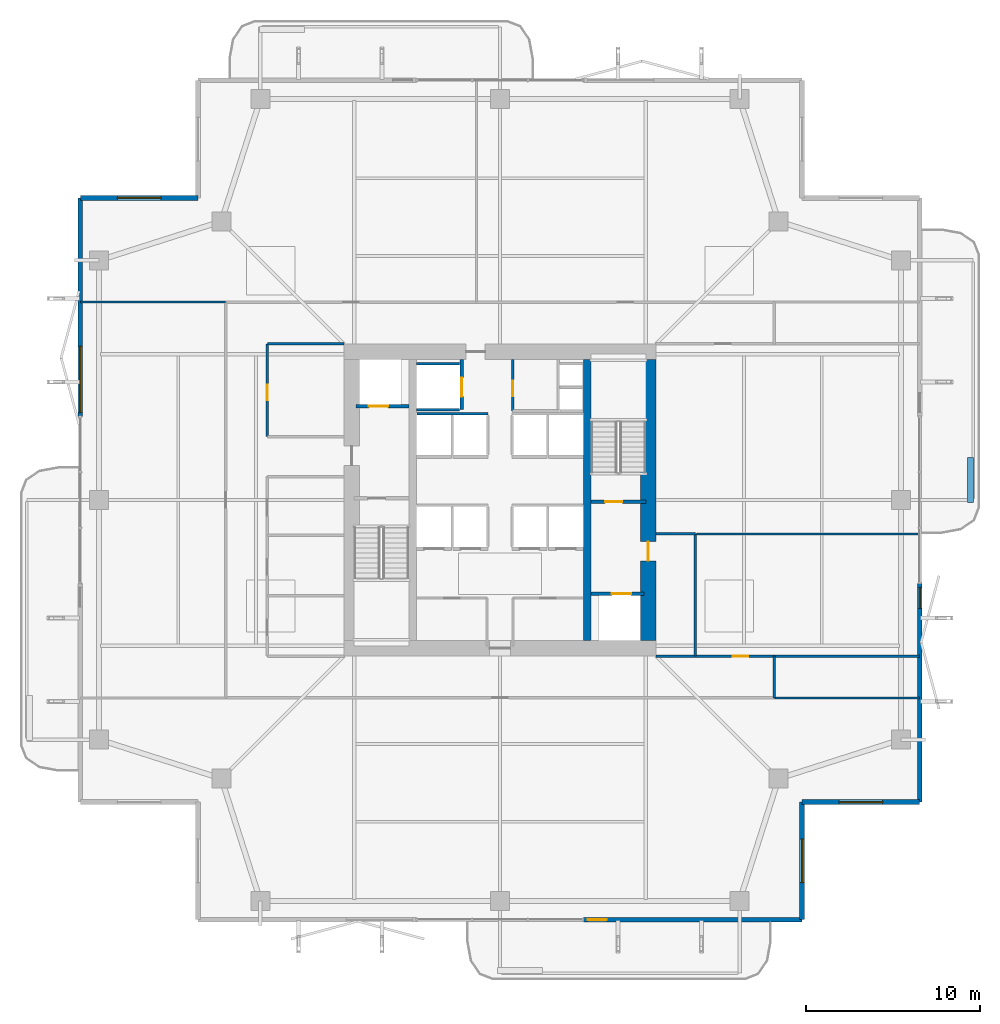
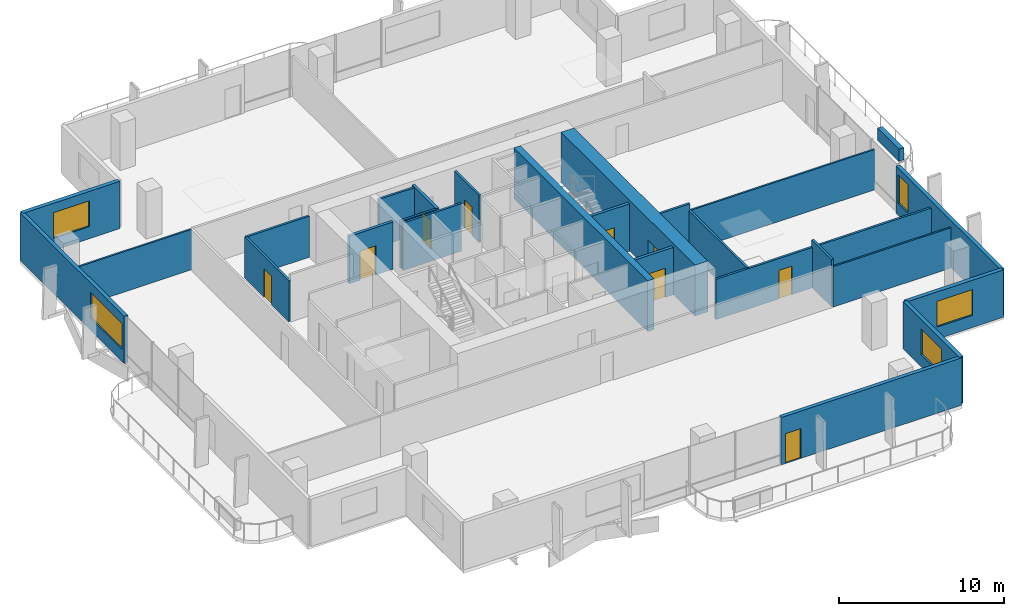
# One storey, part 19 of 23: 26 walls, 9 doors, 5 windows, 14 openings.
"""IFC4 building model written with IfcOpenShell, lengths in metres."""

from ifc_helpers import new_model, si_unit, direction, frame, frame_2d, origin, place, context, subcontext, project, spatial, rectangle, extrude, material, layer, layer_set, type_object, element, fill, save


model = new_model("IFC4")

# Units and contexts
model_context = context("Model", 3, precision=1e-05, world=origin(), true_north=direction((0.0, 1.0)))
body_context = subcontext(model_context, "Body", "Model", "MODEL_VIEW")
ifc_project = project(units=[si_unit("LENGTHUNIT", "METRE"), si_unit("AREAUNIT", "SQUARE_METRE"), si_unit("VOLUMEUNIT", "CUBIC_METRE"), si_unit("PLANEANGLEUNIT", "RADIAN"), si_unit("MASSUNIT", "GRAM", prefix="KILO")], contexts=[model_context])

# Site, building, storey
site_placement = place(None, origin())
site = spatial("IfcSite", under=ifc_project, at=site_placement, CompositionType="ELEMENT")
building_placement = place(site_placement, origin())
building = spatial("IfcBuilding", under=site, at=building_placement, Name="Belovzor Exchange Tower", CompositionType="ELEMENT")
storey_placement = place(building_placement, frame((0.0, 0.0, 157.050048828125)))
storey = spatial("IfcBuildingStorey", under=building, at=storey_placement, Name="L38", CompositionType="ELEMENT", Elevation=157.050048828125)

# Walls
ifc_material_1 = material(Name="Acoustic Plasterboard on Galvanised Studs", Category="gypsum")
ifc_layer_1 = layer(ifc_material_1, 0.1201171875)
ifc_layer_set_1 = layer_set([ifc_layer_1], Name="Acoustic Plasterboard on Galvanised Studs")
wall_type_1 = type_object("IfcWallType", Name="Acoustic Double-Stud Partition Wall 120", PredefinedType="PARTITIONING", material=ifc_layer_set_1)
wall_1_placement = place(storey_placement, frame((40.125, 26.85009765625, 0.0), z_axis=(0.0, 0.0, 1.0), x_axis=(1.0, 0.0, 0.0)))
element("IfcWall", 1, at=wall_1_placement, inside=storey, type_object=wall_type_1, Name="W-P120 Partition Wall W-L38-EDIV-1", PredefinedType="PARTITIONING", context=body_context, shape_type="SweptSolid", body=[
    extrude(rectangle(XDim=12.844970703125, YDim=0.1201171875, at=frame_2d((6.42236328125, 0.0))), origin(), (0.0, 0.0, 1.0), 2.97998046875),
])
wall_2_placement = place(storey_placement, frame((44.60009765625, 17.39990234375, 0.0), z_axis=(0.0, 0.0, 1.0), x_axis=(1.0, 0.0, 0.0)))
element("IfcWall", 2, at=wall_2_placement, inside=storey, type_object=wall_type_1, Name="W-P120 Partition Wall W-L38-END-SE", PredefinedType="PARTITIONING", context=body_context, shape_type="SweptSolid", body=[
    extrude(rectangle(XDim=8.369873046875, YDim=0.1201171875, at=frame_2d((4.18505859375, 0.0))), origin(), (0.0, 0.0, 1.0), 2.97998046875),
])
wall_3_placement = place(storey_placement, frame((4.6298828125, 40.199951171875, 0.0), z_axis=(0.0, 0.0, 1.0), x_axis=(1.0, 0.0, 0.0)))
element("IfcWall", 3, at=wall_3_placement, inside=storey, type_object=wall_type_1, Name="W-P120 Partition Wall W-L38-END-NW", PredefinedType="PARTITIONING", context=body_context, shape_type="SweptSolid", body=[
    extrude(rectangle(XDim=8.3701171875, YDim=0.1201171875, at=frame_2d((4.18505859375, 0.0))), origin(), (0.0, 0.0, 1.0), 2.97998046875),
])

# Wall, opening, door
ifc_material_2 = material(Name="Fire-Rated Gypsum Block and Mineral Wool", Category="gypsum")
ifc_layer_2 = layer(ifc_material_2, 0.14990234375)
ifc_layer_set_2 = layer_set([ifc_layer_2], Name="Fire-Rated Gypsum Block and Mineral Wool")
wall_type_2 = type_object("IfcWallType", Name="Fire-Rated Gypsum Block Corridor Wall 150", PredefinedType="PARTITIONING", material=ifc_layer_set_2)
wall_4_placement = place(storey_placement, frame((29.52490234375, 33.925048828125, 0.0), z_axis=(0.0, 0.0, 1.0), x_axis=(0.0, 1.0, 0.0)))
wall_4 = element("IfcWall", 4, at=wall_4_placement, inside=storey, type_object=wall_type_2, Name="W-P150 Partition Wall W-CRV-L38-W", PredefinedType="PARTITIONING", context=body_context, shape_type="SweptSolid", body=[
    extrude(rectangle(XDim=2.974853515625, YDim=0.14990234375, at=frame_2d((1.4873046875, 0.0))), origin(), (0.0, 0.0, 1.0), 3.494873046875),
])
opening_1_placement = place(wall_4_placement, frame((0.85009765625, 0.0, 0.0)))
opening_1 = element("IfcOpeningElement", 5, at=opening_1_placement, cuts=wall_4, Name="Opening D-FD60-090", PredefinedType="OPENING", context=body_context, shape_type="SweptSolid", body=[
    extrude(rectangle(XDim=0.89990234375, YDim=2.10009765625, at=frame_2d((0.449951171875, 1.050048828125))), frame((0.0, 0.0849609375, 0.0), z_axis=(0.0, -1.0, 0.0), x_axis=(1.0, 0.0, 0.0)), (0.0, 0.0, 1.0), 0.169921875),
])
ifc_material_3 = material(Name="Acoustic Timber Fire Leaf", Category="wood")
door_type_1 = type_object("IfcDoorType", Name="Core Service & Restroom Fire Door 900x2100", OperationType="NOTDEFINED", PredefinedType="DOOR", material=ifc_material_3)
door_1_placement = place(opening_1_placement, origin())
door_1 = element("IfcDoor", 6, at=door_1_placement, inside=storey, type_object=door_type_1, Name="D-FD60-090 Core Service & Restroom Fire Door 900x2100", OperationType="SINGLE_SWING_LEFT", OverallHeight=2.10009765625, OverallWidth=0.89990234375, PredefinedType="DOOR", context=body_context, shape_type="SweptSolid", body=[
    extrude(rectangle(XDim=0.89990234375, YDim=2.10009765625, at=frame_2d((0.449951171875, 1.050048828125))), frame((0.0, 0.02490234375, 0.0), z_axis=(0.0, -1.0, 0.0), x_axis=(1.0, 0.0, 0.0)), (0.0, 0.0, 1.0), 0.050048828125),
])
fill(opening_1, door_1)

# Wall
wall_5_placement = place(storey_placement, frame((15.39990234375, 37.800048828125, 0.0), z_axis=(0.0, 0.0, 1.0), x_axis=(1.0, 0.0, 0.0)))
element("IfcWall", 7, at=wall_5_placement, inside=storey, type_object=wall_type_2, Name="W-P150 Partition Wall W-L38-INW-N", PredefinedType="PARTITIONING", context=body_context, shape_type="SweptSolid", body=[
    extrude(rectangle(XDim=4.400146484375, YDim=0.14990234375, at=frame_2d((2.2001953125, 0.0))), origin(), (0.0, 0.0, 1.0), 3.030029296875),
])

# Wall, opening, door
wall_6_placement = place(storey_placement, frame((15.39990234375, 32.449951171875, 0.0), z_axis=(0.0, 0.0, 1.0), x_axis=(0.0, 1.0, 0.0)))
wall_6 = element("IfcWall", 8, at=wall_6_placement, inside=storey, type_object=wall_type_2, Name="W-P150 Partition Wall W-L38-WIE-N", PredefinedType="PARTITIONING", context=body_context, shape_type="SweptSolid", body=[
    extrude(rectangle(XDim=5.35009765625, YDim=0.14990234375, at=frame_2d((2.675048828125, 0.0))), origin(), (0.0, 0.0, 1.0), 3.030029296875),
])
opening_2_placement = place(wall_6_placement, frame((2.10009765625, 0.0, 0.0)))
opening_2 = element("IfcOpeningElement", 9, at=opening_2_placement, cuts=wall_6, Name="Opening D-FD60-090", PredefinedType="OPENING", context=body_context, shape_type="SweptSolid", body=[
    extrude(rectangle(XDim=0.89990234375, YDim=2.10009765625, at=frame_2d((0.449951171875, 1.050048828125))), frame((0.0, 0.0849609375, 0.0), z_axis=(0.0, -1.0, 0.0), x_axis=(1.0, 0.0, 0.0)), (0.0, 0.0, 1.0), 0.169921875),
])
door_2_placement = place(opening_2_placement, origin())
door_2 = element("IfcDoor", 10, at=door_2_placement, inside=storey, type_object=door_type_1, Name="D-FD60-090 Core Service & Restroom Fire Door 900x2100", OperationType="SINGLE_SWING_LEFT", OverallHeight=2.10009765625, OverallWidth=0.89990234375, PredefinedType="DOOR", context=body_context, shape_type="SweptSolid", body=[
    extrude(rectangle(XDim=0.89990234375, YDim=2.10009765625, at=frame_2d((0.449951171875, 1.050048828125))), frame((0.0, 0.02490234375, 0.0), z_axis=(0.0, -1.0, 0.0), x_axis=(1.0, 0.0, 0.0)), (0.0, 0.0, 1.0), 0.050048828125),
])
fill(opening_2, door_2)

# Walls
wall_7_placement = place(storey_placement, frame((37.800048828125, 26.85009765625, 0.0), z_axis=(0.0, 0.0, 1.0), x_axis=(1.0, 0.0, 0.0)))
element("IfcWall", 11, at=wall_7_placement, inside=storey, type_object=wall_type_2, Name="W-P150 Partition Wall W-L38-CFE-N", PredefinedType="PARTITIONING", context=body_context, shape_type="SweptSolid", body=[
    extrude(rectangle(XDim=2.25, YDim=0.14990234375, at=frame_2d((1.125, 0.0))), origin(), (0.0, 0.0, 1.0), 3.494873046875),
])
wall_8_placement = place(storey_placement, frame((40.050048828125, 19.800048828125, 0.0), z_axis=(0.0, 0.0, 1.0), x_axis=(0.0, 1.0, 0.0)))
element("IfcWall", 12, at=wall_8_placement, inside=storey, type_object=wall_type_2, Name="W-P150 Partition Wall W-L38-CFE-E", PredefinedType="PARTITIONING", context=body_context, shape_type="SweptSolid", body=[
    extrude(rectangle(XDim=7.050048828125, YDim=0.14990234375, at=frame_2d((3.52490234375, 0.0))), origin(), (0.0, 0.0, 1.0), 3.030029296875),
])
wall_9_placement = place(storey_placement, frame((44.60009765625, 17.39990234375, 0.0), z_axis=(0.0, 0.0, 1.0), x_axis=(0.0, 1.0, 0.0)))
element("IfcWall", 13, at=wall_9_placement, inside=storey, type_object=wall_type_2, Name="W-P150 Partition Wall W-L38-END-ES", PredefinedType="PARTITIONING", context=body_context, shape_type="SweptSolid", body=[
    extrude(rectangle(XDim=2.400146484375, YDim=0.14990234375, at=frame_2d((1.2001953125, 0.0))), origin(), (0.0, 0.0, 1.0), 3.494873046875),
])

# Wall, opening, door
wall_10_placement = place(storey_placement, frame((37.800048828125, 19.800048828125, 0.0), z_axis=(0.0, 0.0, 1.0), x_axis=(1.0, 0.0, 0.0)))
wall_10 = element("IfcWall", 14, at=wall_10_placement, inside=storey, type_object=wall_type_2, Name="W-P150 Partition Wall W-L38-CS-IN", PredefinedType="PARTITIONING", context=body_context, shape_type="SweptSolid", body=[
    extrude(rectangle(XDim=15.169921875, YDim=0.14990234375, at=frame_2d((7.5849609375, 0.0))), origin(), (0.0, 0.0, 1.0), 2.97998046875),
])
opening_3_placement = place(wall_10_placement, frame((4.39990234375, 0.0, 0.0)))
opening_3 = element("IfcOpeningElement", 15, at=opening_3_placement, cuts=wall_10, Name="Opening D-INT-090", PredefinedType="OPENING", context=body_context, shape_type="SweptSolid", body=[
    extrude(rectangle(XDim=0.89990234375, YDim=2.10009765625, at=frame_2d((0.449951171875, 1.050048828125))), frame((0.0, 0.0849609375, 0.0), z_axis=(0.0, -1.0, 0.0), x_axis=(1.0, 0.0, 0.0)), (0.0, 0.0, 1.0), 0.169921875),
])
ifc_material_4 = material(Name="Veneered Hardwood Acoustic Leaf", Category="wood")
door_type_2 = type_object("IfcDoorType", Name="Trading Suite Acoustic Single Door 900x2100", OperationType="NOTDEFINED", PredefinedType="DOOR", material=ifc_material_4)
door_3_placement = place(opening_3_placement, origin())
door_3 = element("IfcDoor", 16, at=door_3_placement, inside=storey, type_object=door_type_2, Name="D-INT-090 Trading Suite Acoustic Single Door 900x2100", OperationType="SINGLE_SWING_LEFT", OverallHeight=2.10009765625, OverallWidth=0.89990234375, PredefinedType="DOOR", context=body_context, shape_type="SweptSolid", body=[
    extrude(rectangle(XDim=0.89990234375, YDim=2.10009765625, at=frame_2d((0.449951171875, 1.050048828125))), frame((0.0, 0.02490234375, 0.0), z_axis=(0.0, -1.0, 0.0), x_axis=(1.0, 0.0, 0.0)), (0.0, 0.0, 1.0), 0.050048828125),
])
fill(opening_3, door_3)

# Wall, opening, window
ifc_material_5 = material(Name="Precast concrete C40/50", Category="concrete")
ifc_layer_3 = layer(ifc_material_5, 0.280029296875)
ifc_layer_set_3 = layer_set([ifc_layer_3], Name="Precast concrete C40/50")
wall_type_3 = type_object("IfcWallType", Name="Precast Concrete Notched Corner Frame Wall 280", PredefinedType="SOLIDWALL", material=ifc_layer_set_3)
wall_11_placement = place(storey_placement, frame((4.6298828125, 46.199951171875, 0.0), z_axis=(0.0, 0.0, 1.0), x_axis=(1.0, 0.0, 0.0)))
wall_11 = element("IfcWall", 17, at=wall_11_placement, inside=storey, type_object=wall_type_3, Name="W-CRN280 Precast Concrete Notched Corner Frame Wall 280 L38", PredefinedType="SOLIDWALL", context=body_context, shape_type="SweptSolid", body=[
    extrude(rectangle(XDim=6.77001953125, YDim=0.280029296875, at=frame_2d((3.385009765625, 0.0))), origin(), (0.0, 0.0, 1.0), 3.494873046875),
])
opening_4_placement = place(wall_11_placement, frame((2.135009765625, 0.0, 0.89990234375)))
opening_4 = element("IfcOpeningElement", 18, at=opening_4_placement, cuts=wall_11, Name="Opening WN-CRN250", PredefinedType="OPENING", context=body_context, shape_type="SweptSolid", body=[
    extrude(rectangle(XDim=2.5, YDim=1.89990234375, at=frame_2d((1.25, 0.949951171875))), frame((0.0, 0.14990234375, 0.0), z_axis=(0.0, -1.0, 0.0), x_axis=(1.0, 0.0, 0.0)), (0.0, 0.0, 1.0), 0.300048828125),
])
ifc_material_6 = material(Name="Thermally Broken Aluminium and Triple Glazing", Category="aluminium")
window_type_1 = type_object("IfcWindowType", Name="Streamline Moderne Corner Wrap Ribbon Window 2500x1900", PartitioningType="SINGLE_PANEL", PredefinedType="WINDOW", material=ifc_material_6)
window_1_placement = place(opening_4_placement, origin())
window_1 = element("IfcWindow", 19, at=window_1_placement, inside=storey, type_object=window_type_1, Name="WN-CRN250 Streamline Moderne Corner Wrap Ribbon Window 2500x1900", OverallHeight=1.89990234375, OverallWidth=2.5, PartitioningType="SINGLE_PANEL", PredefinedType="WINDOW", context=body_context, shape_type="SweptSolid", body=[
    extrude(rectangle(XDim=2.5, YDim=1.89990234375, at=frame_2d((1.25, 0.949951171875))), frame((0.0, 0.030029296875, 0.0), z_axis=(0.0, -1.0, 0.0), x_axis=(1.0, 0.0, 0.0)), (0.0, 0.0, 1.0), 0.06005859375),
])
fill(opening_4, window_1)

wall_12_placement = place(storey_placement, frame((52.969970703125, 11.39990234375, 0.0), z_axis=(0.0, 0.0, 1.0), x_axis=(-1.0, 0.0, 0.0)))
wall_12 = element("IfcWall", 20, at=wall_12_placement, inside=storey, type_object=wall_type_3, Name="W-CRN280 Precast Concrete Notched Corner Frame Wall 280 L38", PredefinedType="SOLIDWALL", context=body_context, shape_type="SweptSolid", body=[
    extrude(rectangle(XDim=6.77001953125, YDim=0.280029296875, at=frame_2d((3.385009765625, 0.0))), origin(), (0.0, 0.0, 1.0), 3.494873046875),
])
opening_5_placement = place(wall_12_placement, frame((2.135009765625, 0.0, 0.89990234375)))
opening_5 = element("IfcOpeningElement", 21, at=opening_5_placement, cuts=wall_12, Name="Opening WN-CRN250", PredefinedType="OPENING", context=body_context, shape_type="SweptSolid", body=[
    extrude(rectangle(XDim=2.5, YDim=1.89990234375, at=frame_2d((1.25, 0.949951171875))), frame((0.0, 0.14990234375, 0.0), z_axis=(0.0, -1.0, 0.0), x_axis=(1.0, 0.0, 0.0)), (0.0, 0.0, 1.0), 0.300048828125),
])
window_2_placement = place(opening_5_placement, origin())
window_2 = element("IfcWindow", 22, at=window_2_placement, inside=storey, type_object=window_type_1, Name="WN-CRN250 Streamline Moderne Corner Wrap Ribbon Window 2500x1900", OverallHeight=1.89990234375, OverallWidth=2.5, PartitioningType="SINGLE_PANEL", PredefinedType="WINDOW", context=body_context, shape_type="SweptSolid", body=[
    extrude(rectangle(XDim=2.5, YDim=1.89990234375, at=frame_2d((1.25, 0.949951171875))), frame((0.0, 0.030029296875, 0.0), z_axis=(0.0, -1.0, 0.0), x_axis=(1.0, 0.0, 0.0)), (0.0, 0.0, 1.0), 0.06005859375),
])
fill(opening_5, window_2)

wall_13_placement = place(storey_placement, frame((46.199951171875, 11.39990234375, 0.0), z_axis=(0.0, 0.0, 1.0), x_axis=(0.0, -1.0, 0.0)))
wall_13 = element("IfcWall", 23, at=wall_13_placement, inside=storey, type_object=wall_type_3, Name="W-CRN280 Precast Concrete Notched Corner Frame Wall 280 L38", PredefinedType="SOLIDWALL", context=body_context, shape_type="SweptSolid", body=[
    extrude(rectangle(XDim=6.77001953125, YDim=0.280029296875, at=frame_2d((3.385009765625, 0.0))), origin(), (0.0, 0.0, 1.0), 3.494873046875),
])
opening_6_placement = place(wall_13_placement, frame((2.135009765625, 0.0, 0.89990234375)))
opening_6 = element("IfcOpeningElement", 24, at=opening_6_placement, cuts=wall_13, Name="Opening WN-CRN250", PredefinedType="OPENING", context=body_context, shape_type="SweptSolid", body=[
    extrude(rectangle(XDim=2.5, YDim=1.89990234375, at=frame_2d((1.25, 0.949951171875))), frame((0.0, 0.14990234375, 0.0), z_axis=(0.0, -1.0, 0.0), x_axis=(1.0, 0.0, 0.0)), (0.0, 0.0, 1.0), 0.300048828125),
])
window_3_placement = place(opening_6_placement, origin())
window_3 = element("IfcWindow", 25, at=window_3_placement, inside=storey, type_object=window_type_1, Name="WN-CRN250 Streamline Moderne Corner Wrap Ribbon Window 2500x1900", OverallHeight=1.89990234375, OverallWidth=2.5, PartitioningType="SINGLE_PANEL", PredefinedType="WINDOW", context=body_context, shape_type="SweptSolid", body=[
    extrude(rectangle(XDim=2.5, YDim=1.89990234375, at=frame_2d((1.25, 0.949951171875))), frame((0.0, 0.030029296875, 0.0), z_axis=(0.0, -1.0, 0.0), x_axis=(1.0, 0.0, 0.0)), (0.0, 0.0, 1.0), 0.06005859375),
])
fill(opening_6, window_3)

# Wall, opening, door
ifc_material_7 = material(Name="Precast concrete C40/50", Category="concrete")
ifc_layer_4 = layer(ifc_material_7, 0.260009765625)
ifc_layer_set_4 = layer_set([ifc_layer_4], Name="Precast concrete C40/50")
wall_type_4 = type_object("IfcWallType", Name="Precast Concrete Perimeter Loggia Frame Wall 260", PredefinedType="SOLIDWALL", material=ifc_layer_set_4)
wall_14_placement = place(storey_placement, frame((46.199951171875, 4.6298828125, 0.0), z_axis=(0.0, 0.0, 1.0), x_axis=(-1.0, 0.0, 0.0)))
wall_14 = element("IfcWall", 26, at=wall_14_placement, inside=storey, type_object=wall_type_4, Name="W-EXT260 Precast Concrete Perimeter Loggia Frame Wall 260 L38", PredefinedType="SOLIDWALL", context=body_context, shape_type="SweptSolid", body=[
    extrude(rectangle(XDim=12.599853515625, YDim=0.260009765625, at=frame_2d((6.2998046875, 0.0))), origin(), (0.0, 0.0, 1.0), 3.494873046875),
])
opening_7_placement = place(wall_14_placement, frame((11.25, 0.0, 0.0)))
opening_7 = element("IfcOpeningElement", 27, at=opening_7_placement, cuts=wall_14, Name="Opening D-BAL110", PredefinedType="OPENING", context=body_context, shape_type="SweptSolid", body=[
    extrude(rectangle(XDim=1.10009765625, YDim=2.199951171875, at=frame_2d((0.550048828125, 1.10009765625))), frame((0.0, 0.139892578125, 0.0), z_axis=(0.0, -1.0, 0.0), x_axis=(1.0, 0.0, 0.0)), (0.0, 0.0, 1.0), 0.280029296875),
])
ifc_material_8 = material(Name="Thermally Broken Anodised Aluminium and Laminated Glass", Category="aluminium")
door_type_3 = type_object("IfcDoorType", Name="Planted Loggia Terrace Glazed Door 1100x2200", OperationType="SINGLE_SWING_LEFT", PredefinedType="DOOR", material=ifc_material_8)
door_4_placement = place(opening_7_placement, origin())
door_4 = element("IfcDoor", 28, at=door_4_placement, inside=storey, type_object=door_type_3, Name="D-BAL110 Balcony Terrace Door L38 S", OperationType="SINGLE_SWING_LEFT", OverallHeight=2.199951171875, OverallWidth=1.10009765625, PredefinedType="DOOR", context=body_context, shape_type="SweptSolid", body=[
    extrude(rectangle(XDim=1.10009765625, YDim=2.199951171875, at=frame_2d((0.550048828125, 1.10009765625))), frame((0.0, 0.02490234375, 0.0), z_axis=(0.0, -1.0, 0.0), x_axis=(1.0, 0.0, 0.0)), (0.0, 0.0, 1.0), 0.050048828125),
])
fill(opening_7, door_4)

# Wall, opening, window
wall_15_placement = place(storey_placement, frame((4.6298828125, 33.60009765625, 0.0), z_axis=(0.0, 0.0, 1.0), x_axis=(0.0, 1.0, 0.0)))
wall_15 = element("IfcWall", 29, at=wall_15_placement, inside=storey, type_object=wall_type_4, Name="W-EXT260 Precast Concrete Perimeter Loggia Frame Wall 260 L38", PredefinedType="SOLIDWALL", context=body_context, shape_type="SweptSolid", body=[
    extrude(rectangle(XDim=12.599853515625, YDim=0.260009765625, at=frame_2d((6.2998046875, 0.0))), origin(), (0.0, 0.0, 1.0), 3.494873046875),
])
opening_8_placement = place(wall_15_placement, frame((0.25, 0.0, 0.89990234375)))
opening_8 = element("IfcOpeningElement", 30, at=opening_8_placement, cuts=wall_15, Name="Opening WN-RIB380", PredefinedType="OPENING", context=body_context, shape_type="SweptSolid", body=[
    extrude(rectangle(XDim=3.800048828125, YDim=1.89990234375, at=frame_2d((1.89990234375, 0.949951171875))), frame((0.0, 0.139892578125, 0.0), z_axis=(0.0, -1.0, 0.0), x_axis=(1.0, 0.0, 0.0)), (0.0, 0.0, 1.0), 0.280029296875),
])
ifc_material_9 = material(Name="Thermally Broken Aluminium and Triple Glazing", Category="aluminium")
window_type_2 = type_object("IfcWindowType", Name="Streamline Moderne Horizontal Ribbon Window 3800x1900", PartitioningType="SINGLE_PANEL", PredefinedType="WINDOW", material=ifc_material_9)
window_4_placement = place(opening_8_placement, origin())
window_4 = element("IfcWindow", 31, at=window_4_placement, inside=storey, type_object=window_type_2, Name="WN-RIB380 Streamline Moderne Horizontal Ribbon Window 3800x1900", OverallHeight=1.89990234375, OverallWidth=3.800048828125, PartitioningType="SINGLE_PANEL", PredefinedType="WINDOW", context=body_context, shape_type="SweptSolid", body=[
    extrude(rectangle(XDim=3.800048828125, YDim=1.89990234375, at=frame_2d((1.89990234375, 0.949951171875))), frame((0.0, 0.030029296875, 0.0), z_axis=(0.0, -1.0, 0.0), x_axis=(1.0, 0.0, 0.0)), (0.0, 0.0, 1.0), 0.06005859375),
])
fill(opening_8, window_4)

wall_16_placement = place(storey_placement, frame((52.969970703125, 24.0, 0.0), z_axis=(0.0, 0.0, 1.0), x_axis=(0.0, -1.0, 0.0)))
wall_16 = element("IfcWall", 32, at=wall_16_placement, inside=storey, type_object=wall_type_4, Name="W-EXT260 Precast Concrete Perimeter Loggia Frame Wall 260 L38", PredefinedType="SOLIDWALL", context=body_context, shape_type="SweptSolid", body=[
    extrude(rectangle(XDim=12.60009765625, YDim=0.260009765625, at=frame_2d((6.300048828125, 0.0))), origin(), (0.0, 0.0, 1.0), 3.494873046875),
])
opening_9_placement = place(wall_16_placement, frame((0.25, 0.0, 0.89990234375)))
opening_9 = element("IfcOpeningElement", 33, at=opening_9_placement, cuts=wall_16, Name="Opening WN-CRN120", PredefinedType="OPENING", context=body_context, shape_type="SweptSolid", body=[
    extrude(rectangle(XDim=1.199951171875, YDim=2.10009765625, at=frame_2d((0.60009765625, 1.050048828125))), frame((0.0, 0.139892578125, 0.0), z_axis=(0.0, -1.0, 0.0), x_axis=(1.0, 0.0, 0.0)), (0.0, 0.0, 1.0), 0.280029296875),
])
ifc_material_10 = material(Name="Thermally Broken Aluminium and Triple Glazing", Category="aluminium")
window_type_3 = type_object("IfcWindowType", Name="Streamline Notched Corner Window 1200x2100", PartitioningType="SINGLE_PANEL", PredefinedType="WINDOW", material=ifc_material_10)
window_5_placement = place(opening_9_placement, origin())
window_5 = element("IfcWindow", 34, at=window_5_placement, inside=storey, type_object=window_type_3, Name="WN-CRN120 Streamline Notched Corner Window 1200x2100", OverallHeight=2.10009765625, OverallWidth=1.199951171875, PartitioningType="SINGLE_PANEL", PredefinedType="WINDOW", context=body_context, shape_type="SweptSolid", body=[
    extrude(rectangle(XDim=1.199951171875, YDim=2.10009765625, at=frame_2d((0.60009765625, 1.050048828125))), frame((0.0, 0.030029296875, 0.0), z_axis=(0.0, -1.0, 0.0), x_axis=(1.0, 0.0, 0.0)), (0.0, 0.0, 1.0), 0.06005859375),
])
fill(opening_9, window_5)

# Walls
ifc_material_11 = material(Name="Precast concrete C40/50", Category="concrete")
ifc_layer_5 = layer(ifc_material_11, 0.35009765625)
ifc_layer_set_5 = layer_set([ifc_layer_5], Name="Precast concrete C40/50")
wall_type_5 = type_object("IfcWallType", Name="Precast Concrete Structural Tree Planter Trough 350", PredefinedType="PARAPET", material=ifc_layer_set_5)
wall_17_placement = place(storey_placement, frame((55.89990234375, 28.64990234375, 0.0), z_axis=(0.0, 0.0, 1.0), x_axis=(0.0, 1.0, 0.0)))
element("IfcWall", 35, at=wall_17_placement, inside=storey, type_object=wall_type_5, Name="PT-350 Precast Concrete Structural Tree Planter Trough 350 L38", PredefinedType="PARAPET", context=body_context, shape_type="SweptSolid", body=[
    extrude(rectangle(XDim=2.60009765625, YDim=0.35009765625, at=frame_2d((1.300048828125, 0.0))), origin(), (0.0, 0.0, 1.0), 0.89990234375),
])
ifc_material_12 = material(Name="Concrete C50/60", Category="concrete")
ifc_layer_6 = layer(ifc_material_12, 0.449951171875)
ifc_layer_set_6 = layer_set([ifc_layer_6], Name="Concrete C50/60")
wall_type_6 = type_object("IfcWallType", Name="Reinforced Concrete Core Internal Web Wall 450", PredefinedType="SHEAR", material=ifc_layer_set_6)
wall_18_placement = place(storey_placement, frame((33.824951171875, 20.699951171875, 0.0), z_axis=(0.0, 0.0, 1.0), x_axis=(0.0, 1.0, 0.0)))
element("IfcWall", 36, at=wall_18_placement, inside=storey, type_object=wall_type_6, Name="CW-W045 Core Internal Web Wall L38 ER", PredefinedType="SHEAR", context=body_context, shape_type="SweptSolid", body=[
    extrude(rectangle(XDim=16.199951171875, YDim=0.449951171875, at=frame_2d((8.10009765625, 0.0))), origin(), (0.0, 0.0, 1.0), 3.75),
])
ifc_material_13 = material(Name="Concrete C50/60", Category="concrete")
ifc_layer_7 = layer(ifc_material_13, 0.14990234375)
ifc_layer_set_7 = layer_set([ifc_layer_7], Name="Concrete C50/60")
wall_type_7 = type_object("IfcWallType", Name="Reinforced Concrete Core Riser Shear Wall 150", PredefinedType="SHEAR", material=ifc_layer_set_7)
for number, where, z_axis, x_axis, name in (
    (37, (24.0, 34.0, 0.0), (0.0, 0.0, 1.0), (1.0, 0.0, 0.0), "W-C150S Core Shaft Wall W-SH-L38-SL-01S"),
    (38, (24.0, 36.64990234375, 0.0), (0.0, 0.0, 1.0), (1.0, 0.0, 0.0), "W-C150S Core Shaft Wall W-SH-L38-SL-01N"),
):
    element("IfcWall", number, at=place(storey_placement, frame(where, z_axis=z_axis, x_axis=x_axis)), inside=storey, type_object=wall_type_7, Name=name, PredefinedType="SHEAR", context=body_context, shape_type="SweptSolid", body=[
        extrude(rectangle(XDim=2.47998046875, YDim=0.14990234375, at=frame_2d((1.239990234375, 0.0))), origin(), (0.0, 0.0, 1.0), 3.494873046875),
    ])
wall_19_placement = place(storey_placement, frame((24.02001953125, 33.760009765625, 0.0), z_axis=(0.0, 0.0, 1.0), x_axis=(1.0, 0.0, 0.0)))
element("IfcWall", 39, at=wall_19_placement, inside=storey, type_object=wall_type_7, Name="W-C150S Core Shaft Wall W-SHB-L38-PLH-NW", PredefinedType="SHEAR", context=body_context, shape_type="SweptSolid", body=[
    extrude(rectangle(XDim=4.080078125, YDim=0.14990234375, at=frame_2d((2.0400390625, 0.0))), origin(), (0.0, 0.0, 1.0), 3.494873046875),
])

# Wall, opening, door
ifc_material_14 = material(Name="Concrete C50/60", Category="concrete")
ifc_layer_8 = layer(ifc_material_14, 0.199951171875)
ifc_layer_set_8 = layer_set([ifc_layer_8], Name="Concrete C50/60")
wall_type_8 = type_object("IfcWallType", Name="Reinforced Concrete Core Shaft Shear Wall 200", PredefinedType="SHEAR", material=ifc_layer_set_8)
wall_20_placement = place(storey_placement, frame((34.050048828125, 28.699951171875, 0.0), z_axis=(0.0, 0.0, 1.0), x_axis=(1.0, 0.0, 0.0)))
wall_20 = element("IfcWall", 40, at=wall_20_placement, inside=storey, type_object=wall_type_8, Name="W-C200S Core Shaft Wall W-CORE-L38-FFLE2", PredefinedType="SHEAR", context=body_context, shape_type="SweptSolid", body=[
    extrude(rectangle(XDim=3.14990234375, YDim=0.199951171875, at=frame_2d((1.574951171875, 0.0))), origin(), (0.0, 0.0, 1.0), 3.494873046875),
])
opening_10_placement = place(wall_20_placement, frame((0.800048828125, 0.0, 0.0)))
opening_10 = element("IfcOpeningElement", 41, at=opening_10_placement, cuts=wall_20, Name="Opening D-FD90-100", PredefinedType="OPENING", context=body_context, shape_type="SweptSolid", body=[
    extrude(rectangle(XDim=1.0, YDim=2.10009765625, at=frame_2d((0.5, 1.050048828125))), frame((0.0, 0.10986328125, 0.0), z_axis=(0.0, -1.0, 0.0), x_axis=(1.0, 0.0, 0.0)), (0.0, 0.0, 1.0), 0.219970703125),
])
ifc_material_15 = material(Name="Fire-Rated Galvanised Steel Leaf", Category="steel")
door_type_4 = type_object("IfcDoorType", Name="Protected Stairwell Single Fire Door 1000x2100", OperationType="NOTDEFINED", PredefinedType="DOOR", material=ifc_material_15)
door_5_placement = place(opening_10_placement, origin())
door_5 = element("IfcDoor", 42, at=door_5_placement, inside=storey, type_object=door_type_4, Name="D-FD90-100 Protected Stairwell Single Fire Door 1000x2100", OperationType="SINGLE_SWING_LEFT", OverallHeight=2.10009765625, OverallWidth=1.0, PredefinedType="DOOR", context=body_context, shape_type="SweptSolid", body=[
    extrude(rectangle(XDim=1.0, YDim=2.10009765625, at=frame_2d((0.5, 1.050048828125))), frame((0.0, 0.02490234375, 0.0), z_axis=(0.0, -1.0, 0.0), x_axis=(1.0, 0.0, 0.0)), (0.0, 0.0, 1.0), 0.050048828125),
])
fill(opening_10, door_5)

wall_21_placement = place(storey_placement, frame((20.5, 34.199951171875, 0.0), z_axis=(0.0, 0.0, 1.0), x_axis=(1.0, 0.0, 0.0)))
wall_21 = element("IfcWall", 43, at=wall_21_placement, inside=storey, type_object=wall_type_8, Name="W-C200S Core Shaft Wall W-SH-L38-FFL-01", PredefinedType="SHEAR", context=body_context, shape_type="SweptSolid", body=[
    extrude(rectangle(XDim=3.050048828125, YDim=0.199951171875, at=frame_2d((1.52490234375, 0.0))), origin(), (0.0, 0.0, 1.0), 3.494873046875),
])
opening_11_placement = place(wall_21_placement, frame((0.75, 0.0, 0.0)))
opening_11 = element("IfcOpeningElement", 44, at=opening_11_placement, cuts=wall_21, Name="Opening LD-110", PredefinedType="OPENING", context=body_context, shape_type="SweptSolid", body=[
    extrude(rectangle(XDim=1.10009765625, YDim=2.14990234375, at=frame_2d((0.550048828125, 1.074951171875))), frame((0.0, 0.10986328125, 0.0), z_axis=(0.0, -1.0, 0.0), x_axis=(1.0, 0.0, 0.0)), (0.0, 0.0, 1.0), 0.219970703125),
])
ifc_material_16 = material(Name="Stainless Steel Grade 304", Category="steel")
door_type_5 = type_object("IfcDoorType", Name="Automated Stainless Steel Lift Landing Door 1100x2150", OperationType="SLIDING_TO_RIGHT", PredefinedType="DOOR", material=ifc_material_16)
door_6_placement = place(opening_11_placement, origin())
door_6 = element("IfcDoor", 45, at=door_6_placement, inside=storey, type_object=door_type_5, Name="LD-110 Automated Stainless Steel Lift Landing Door 1100x2150", OperationType="SLIDING_TO_RIGHT", OverallHeight=2.14990234375, OverallWidth=1.10009765625, PredefinedType="DOOR", context=body_context, shape_type="SweptSolid", body=[
    extrude(rectangle(XDim=1.10009765625, YDim=2.14990234375, at=frame_2d((0.550048828125, 1.074951171875))), frame((0.0, 0.02490234375, 0.0), z_axis=(0.0, -1.0, 0.0), x_axis=(1.0, 0.0, 0.0)), (0.0, 0.0, 1.0), 0.050048828125),
])
fill(opening_11, door_6)

wall_22_placement = place(storey_placement, frame((34.050048828125, 23.39990234375, 0.0), z_axis=(0.0, 0.0, 1.0), x_axis=(1.0, 0.0, 0.0)))
wall_22 = element("IfcWall", 46, at=wall_22_placement, inside=storey, type_object=wall_type_8, Name="W-C200S Core Shaft Wall W-SH-L38-FFL-02", PredefinedType="SHEAR", context=body_context, shape_type="SweptSolid", body=[
    extrude(rectangle(XDim=3.050048828125, YDim=0.199951171875, at=frame_2d((1.52490234375, 0.0))), origin(), (0.0, 0.0, 1.0), 3.494873046875),
])
opening_12_placement = place(wall_22_placement, frame((1.199951171875, 0.0, 0.0)))
opening_12 = element("IfcOpeningElement", 47, at=opening_12_placement, cuts=wall_22, Name="Opening LD-110", PredefinedType="OPENING", context=body_context, shape_type="SweptSolid", body=[
    extrude(rectangle(XDim=1.10009765625, YDim=2.14990234375, at=frame_2d((0.550048828125, 1.074951171875))), frame((0.0, 0.10986328125, 0.0), z_axis=(0.0, -1.0, 0.0), x_axis=(1.0, 0.0, 0.0)), (0.0, 0.0, 1.0), 0.219970703125),
])
door_7_placement = place(opening_12_placement, origin())
door_7 = element("IfcDoor", 48, at=door_7_placement, inside=storey, type_object=door_type_5, Name="LD-110 Automated Stainless Steel Lift Landing Door 1100x2150", OperationType="SLIDING_TO_RIGHT", OverallHeight=2.14990234375, OverallWidth=1.10009765625, PredefinedType="DOOR", context=body_context, shape_type="SweptSolid", body=[
    extrude(rectangle(XDim=1.10009765625, YDim=2.14990234375, at=frame_2d((0.550048828125, 1.074951171875))), frame((0.0, 0.02490234375, 0.0), z_axis=(0.0, -1.0, 0.0), x_axis=(1.0, 0.0, 0.0)), (0.0, 0.0, 1.0), 0.050048828125),
])
fill(opening_12, door_7)

wall_23_placement = place(storey_placement, frame((26.60009765625, 34.0, 0.0), z_axis=(0.0, 0.0, 1.0), x_axis=(0.0, 1.0, 0.0)))
wall_23 = element("IfcWall", 49, at=wall_23_placement, inside=storey, type_object=wall_type_8, Name="W-C200S Core Shaft Wall W-SH-L38-SL-01", PredefinedType="SHEAR", context=body_context, shape_type="SweptSolid", body=[
    extrude(rectangle(XDim=2.89990234375, YDim=0.199951171875, at=frame_2d((1.449951171875, 0.0))), origin(), (0.0, 0.0, 1.0), 3.494873046875),
])
opening_13_placement = place(wall_23_placement, frame((0.75, 0.0, 0.0)))
opening_13 = element("IfcOpeningElement", 50, at=opening_13_placement, cuts=wall_23, Name="Opening LD-110", PredefinedType="OPENING", context=body_context, shape_type="SweptSolid", body=[
    extrude(rectangle(XDim=1.10009765625, YDim=2.14990234375, at=frame_2d((0.550048828125, 1.074951171875))), frame((0.0, 0.10986328125, 0.0), z_axis=(0.0, -1.0, 0.0), x_axis=(1.0, 0.0, 0.0)), (0.0, 0.0, 1.0), 0.219970703125),
])
door_8_placement = place(opening_13_placement, origin())
door_8 = element("IfcDoor", 51, at=door_8_placement, inside=storey, type_object=door_type_5, Name="LD-110 Automated Stainless Steel Lift Landing Door 1100x2150", OperationType="SLIDING_TO_RIGHT", OverallHeight=2.14990234375, OverallWidth=1.10009765625, PredefinedType="DOOR", context=body_context, shape_type="SweptSolid", body=[
    extrude(rectangle(XDim=1.10009765625, YDim=2.14990234375, at=frame_2d((0.550048828125, 1.074951171875))), frame((0.0, 0.02490234375, 0.0), z_axis=(0.0, -1.0, 0.0), x_axis=(1.0, 0.0, 0.0)), (0.0, 0.0, 1.0), 0.050048828125),
])
fill(opening_13, door_8)

ifc_material_17 = material(Name="Concrete C60/75", Category="concrete")
ifc_layer_9 = layer(ifc_material_17, 0.89990234375)
ifc_layer_set_9 = layer_set([ifc_layer_9], Name="Concrete C60/75")
wall_type_9 = type_object("IfcWallType", Name="Reinforced Concrete Core Shear Wall 900", PredefinedType="SHEAR", material=ifc_layer_set_9)
wall_24_placement = place(storey_placement, frame((37.35009765625, 20.699951171875, 0.0), z_axis=(0.0, 0.0, 1.0), x_axis=(0.0, 1.0, 0.0)))
wall_24 = element("IfcWall", 52, at=wall_24_placement, inside=storey, type_object=wall_type_9, Name="CW-S090 Core Shear Wall L38 E", PredefinedType="SHEAR", context=body_context, shape_type="SweptSolid", body=[
    extrude(rectangle(XDim=16.199951171875, YDim=0.89990234375, at=frame_2d((8.10009765625, 0.0))), origin(), (0.0, 0.0, 1.0), 3.75),
])
opening_14_placement = place(wall_24_placement, frame((4.60009765625, 0.0, 0.0)))
opening_14 = element("IfcOpeningElement", 53, at=opening_14_placement, cuts=wall_24, Name="Opening D-FD90-110", PredefinedType="OPENING", context=body_context, shape_type="SweptSolid", body=[
    extrude(rectangle(XDim=1.10009765625, YDim=2.14990234375, at=frame_2d((0.550048828125, 1.074951171875))), frame((0.0, 0.4599609375, 0.0), z_axis=(0.0, -1.0, 0.0), x_axis=(1.0, 0.0, 0.0)), (0.0, 0.0, 1.0), 0.919921875),
])
ifc_material_18 = material(Name="Fire-Rated Galvanised Steel Leaf", Category="steel")
door_type_6 = type_object("IfcDoorType", Name="Protected Escape Vestibule Fire Door 1100x2150", OperationType="NOTDEFINED", PredefinedType="DOOR", material=ifc_material_18)
door_9_placement = place(opening_14_placement, origin())
door_9 = element("IfcDoor", 54, at=door_9_placement, inside=storey, type_object=door_type_6, Name="D-FD90-110 Protected Escape Vestibule Fire Door 1100x2150", OperationType="SINGLE_SWING_RIGHT", OverallHeight=2.14990234375, OverallWidth=1.10009765625, PredefinedType="DOOR", context=body_context, shape_type="SweptSolid", body=[
    extrude(rectangle(XDim=1.10009765625, YDim=2.14990234375, at=frame_2d((0.550048828125, 1.074951171875))), frame((0.0, 0.02490234375, 0.0), z_axis=(0.0, -1.0, 0.0), x_axis=(1.0, 0.0, 0.0)), (0.0, 0.0, 1.0), 0.050048828125),
])
fill(opening_14, door_9)

save(model, "model.ifc")
